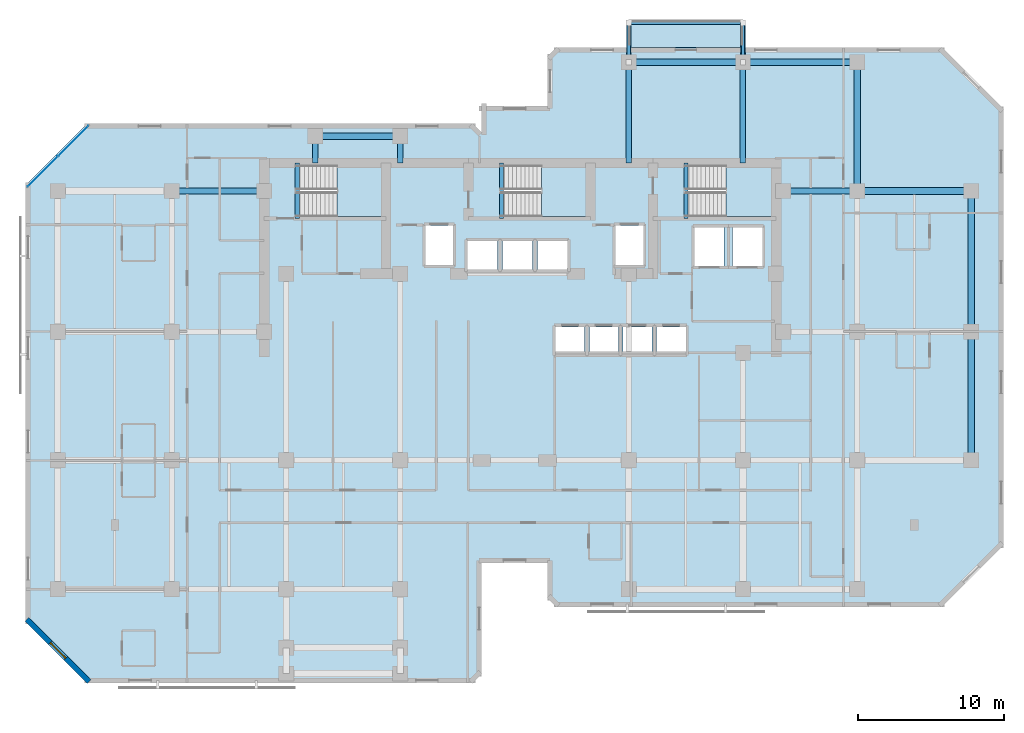
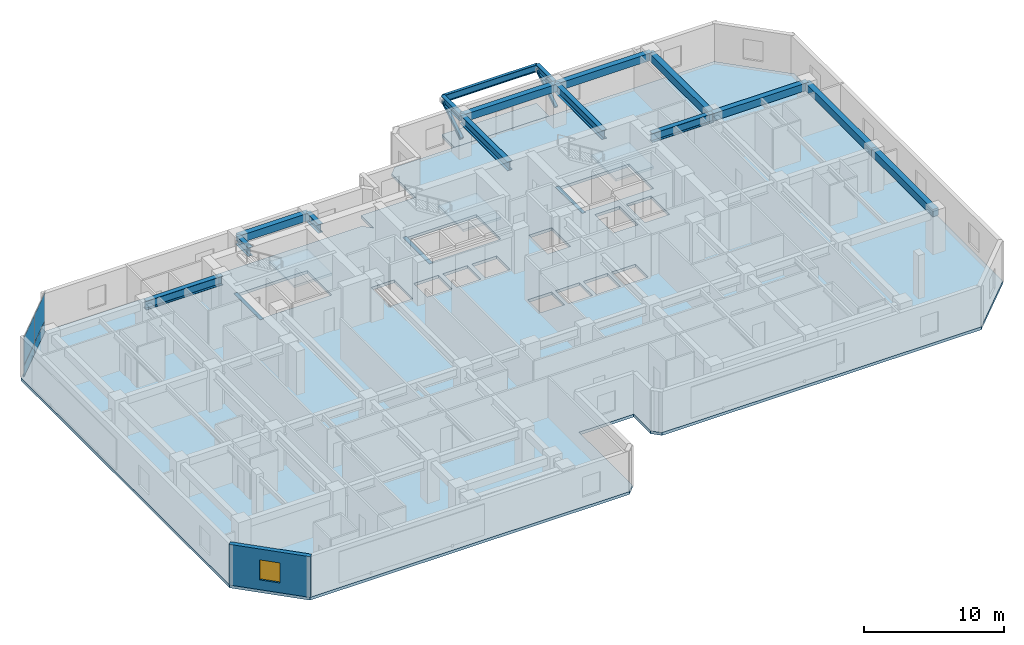
# One storey, part 3 of 10: 19 beams, 5 slabs, 4 plates, 2 members, 1 wall, 1 window, 1 opening, 4 elements without a shape of their own.
"""IFC4 building model written with IfcOpenShell, lengths in metres."""

from ifc_helpers import new_model, si_unit, direction, frame, frame_2d, origin, origin_2d, place, context, subcontext, project, spatial, polyline, rectangle, hollow_rectangle, i_section, outline, extrude, material, layer, layer_set, material_profile, profile_set, type_object, element, fill, aggregate, save


model = new_model("IFC4")

# Units and contexts
model_context = context("Model", 3, precision=1e-05, world=origin(), true_north=direction((0.0, 1.0)))
body_context = subcontext(model_context, "Body", "Model", "MODEL_VIEW")
ifc_project = project(units=[si_unit("LENGTHUNIT", "METRE"), si_unit("AREAUNIT", "SQUARE_METRE"), si_unit("VOLUMEUNIT", "CUBIC_METRE"), si_unit("PLANEANGLEUNIT", "RADIAN"), si_unit("MASSUNIT", "GRAM", prefix="KILO")], contexts=[model_context])

# Site, building, storey
site_placement = place(None, origin())
site = spatial("IfcSite", under=ifc_project, at=site_placement, CompositionType="ELEMENT")
building_placement = place(site_placement, origin())
building = spatial("IfcBuilding", under=site, at=building_placement, Name="Kestravale Grand Hotel", CompositionType="ELEMENT")
storey_placement = place(building_placement, frame((0.0, 0.0, 149.800048828125)))
storey = spatial("IfcBuildingStorey", under=building, at=storey_placement, Name="L37", CompositionType="ELEMENT", Elevation=149.800048828125)

# Beams
ifc_material_1 = material(Name="Concrete f'c 45 MPa", Category="concrete")
ifc_material_profile_1 = material_profile(ifc_material_1, rectangle(XDim=0.300048828125, YDim=0.39990234375, at=origin_2d()))
ifc_profile_set_1 = profile_set([ifc_material_profile_1], Name="Concrete f'c 45 MPa")
beam_type_1 = type_object("IfcBeamType", Name="B-FLR-LNT400", PredefinedType="LINTEL", material=ifc_profile_set_1)
for number, where, z_axis, x_axis, name in (
    (1, (24.159912109375, 36.52001953125, -0.199951171875), (0.0, 1.0, 0.0), (-1.0, 0.0, 0.0), "L37 ST1 flight bottom header beam"),
    (2, (38.110107421875, 36.52001953125, -0.199951171875), (0.0, 1.0, 0.0), (-1.0, 0.0, 0.0), "L37 ST2 flight bottom header beam"),
    (3, (50.7099609375, 36.52001953125, -0.199951171875), (0.0, 1.0, 0.0), (-1.0, 0.0, 0.0), "L37 ST3 flight bottom header beam"),
):
    element("IfcBeam", number, at=place(storey_placement, frame(where, z_axis=z_axis, x_axis=x_axis)), inside=storey, type_object=beam_type_1, Name=name, PredefinedType="LINTEL", context=body_context, shape_type="SweptSolid", body=[
        extrude(rectangle(XDim=0.300048828125, YDim=0.39990234375, at=origin_2d()), origin(), (0.0, 0.0, 1.0), 3.800048828125),
    ])
ifc_material_2 = material(Name="Concrete f'c 45 MPa", Category="concrete")
ifc_material_profile_2 = material_profile(ifc_material_2, rectangle(XDim=0.449951171875, YDim=0.64990234375, at=origin_2d()))
ifc_profile_set_2 = profile_set([ifc_material_profile_2], Name="Concrete f'c 45 MPa")
beam_type_2 = type_object("IfcBeamType", Name="B-FLR-RC650", PredefinedType="SPANDREL", material=ifc_profile_set_2)
for number, where, z_axis, x_axis, name in (
    (4, (62.39990234375, 38.39990234375, 3.224853515625), (1.0, 0.0, 0.0), (0.0, 1.0, 0.0), "L37 spandrel F:10-11"),
    (5, (46.800048828125, 47.199951171875, 3.224853515625), (1.0, 0.0, 0.0), (0.0, 1.0, 0.0), "L37 spandrel G:8-9"),
):
    element("IfcBeam", number, at=place(storey_placement, frame(where, z_axis=z_axis, x_axis=x_axis)), inside=storey, type_object=beam_type_2, Name=name, PredefinedType="SPANDREL", context=body_context, shape_type="SweptSolid", body=[
        extrude(rectangle(XDim=0.449951171875, YDim=0.64990234375, at=origin_2d()), origin(), (0.0, 0.0, 1.0), 7.800048828125),
    ])
beam_1_placement = place(storey_placement, frame((54.60009765625, 47.199951171875, 3.224853515625), z_axis=(1.0, 0.0, 0.0), x_axis=(0.0, 1.0, 0.0)))
element("IfcBeam", 6, at=beam_1_placement, inside=storey, type_object=beam_type_2, Name="L37 spandrel G:9-10", PredefinedType="SPANDREL", context=body_context, shape_type="SweptSolid", body=[
    extrude(rectangle(XDim=0.449951171875, YDim=0.64990234375, at=origin_2d()), origin(), (0.0, 0.0, 1.0), 7.7998046875),
])
beam_2_placement = place(storey_placement, frame((25.39990234375, 42.14990234375, 3.224853515625), z_axis=(1.0, 0.0, 0.0), x_axis=(0.0, 1.0, 0.0)))
element("IfcBeam", 7, at=beam_2_placement, inside=storey, type_object=beam_type_2, Name="L37 perimeter tie spandrel FN:4-5", PredefinedType="SPANDREL", context=body_context, shape_type="SweptSolid", body=[
    extrude(rectangle(XDim=0.449951171875, YDim=0.64990234375, at=origin_2d()), origin(), (0.0, 0.0, 1.0), 5.800048828125),
])
for number, where, z_axis, x_axis, name in (
    (8, (62.39990234375, 38.39990234375, 3.224853515625), (0.0, 1.0, 0.0), (-1.0, 0.0, 0.0), "L37 spandrel 10:F-G"),
    (9, (70.199951171875, 20.0, 3.224853515625), (0.0, 1.0, 0.0), (-1.0, 0.0, 0.0), "L37 spandrel 11:D-E"),
):
    element("IfcBeam", number, at=place(storey_placement, frame(where, z_axis=z_axis, x_axis=x_axis)), inside=storey, type_object=beam_type_2, Name=name, PredefinedType="SPANDREL", context=body_context, shape_type="SweptSolid", body=[
        extrude(rectangle(XDim=0.449951171875, YDim=0.64990234375, at=origin_2d()), origin(), (0.0, 0.0, 1.0), 8.800048828125),
    ])
beam_3_placement = place(storey_placement, frame((70.199951171875, 28.800048828125, 3.224853515625), z_axis=(0.0, 1.0, 0.0), x_axis=(-1.0, 0.0, 0.0)))
element("IfcBeam", 10, at=beam_3_placement, inside=storey, type_object=beam_type_2, Name="L37 spandrel 11:E-F", PredefinedType="SPANDREL", context=body_context, shape_type="SweptSolid", body=[
    extrude(rectangle(XDim=0.449951171875, YDim=0.64990234375, at=origin_2d()), origin(), (0.0, 0.0, 1.0), 9.599853515625),
])
ifc_material_3 = material(Name="Steel ASTM A992 Grade 50", Category="steel")
ifc_material_profile_3 = material_profile(ifc_material_3, i_section(OverallWidth=0.324951171875, OverallDepth=0.612060546875, WebThickness=0.0126953125, FlangeThickness=0.01904296875, FilletRadius=0.018798828125, at=origin_2d()))
ifc_profile_set_3 = profile_set([ifc_material_profile_3], Name="Steel ASTM A992 Grade 50")
beam_type_3 = type_object("IfcBeamType", Name="B-FLR-W24A", PredefinedType="SPANDREL", material=ifc_profile_set_3)
for number, where, z_axis, x_axis, name in (
    (11, (46.800048828125, 47.199951171875, 3.223876953125), (0.0, 1.0, 0.0), (-1.0, 0.0, 0.0), "L38 terrace cantilever beam 1"),
    (12, (54.60009765625, 47.199951171875, 3.223876953125), (0.0, 1.0, 0.0), (-1.0, 0.0, 0.0), "L38 terrace cantilever beam 2"),
):
    element("IfcBeam", number, at=place(storey_placement, frame(where, z_axis=z_axis, x_axis=x_axis)), inside=storey, type_object=beam_type_3, Name=name, PredefinedType="SPANDREL", context=body_context, shape_type="SweptSolid", body=[
        extrude(i_section(OverallWidth=0.324951171875, OverallDepth=0.612060546875, WebThickness=0.0126953125, FlangeThickness=0.01904296875, FilletRadius=0.018798828125, at=origin_2d()), origin(), (0.0, 0.0, 1.0), 2.699951171875),
    ])
ifc_material_4 = material(Name="Steel ASTM A992 Grade 50", Category="steel")
ifc_material_profile_4 = material_profile(ifc_material_4, i_section(OverallWidth=0.22900390625, OverallDepth=0.612060546875, WebThickness=0.011962890625, FlangeThickness=0.01953125, FilletRadius=0.019287109375, at=origin_2d()))
ifc_profile_set_4 = profile_set([ifc_material_profile_4], Name="Steel ASTM A992 Grade 50")
beam_type_4 = type_object("IfcBeamType", Name="B-FLR-W24B", PredefinedType="SPANDREL", material=ifc_profile_set_4)
beam_4_placement = place(storey_placement, frame((46.800048828125, 49.89990234375, 3.223876953125), z_axis=(1.0, 0.0, 0.0), x_axis=(0.0, 1.0, 0.0)))
element("IfcBeam", 13, at=beam_4_placement, inside=storey, type_object=beam_type_4, Name="L38 terrace edge spandrel", PredefinedType="SPANDREL", context=body_context, shape_type="SweptSolid", body=[
    extrude(i_section(OverallWidth=0.22900390625, OverallDepth=0.612060546875, WebThickness=0.011962890625, FlangeThickness=0.01953125, FilletRadius=0.019287109375, at=origin_2d()), origin(), (0.0, 0.0, 1.0), 7.800048828125),
])
ifc_material_5 = material(Name="Steel ASTM A992 Grade 50", Category="steel")
ifc_material_profile_5 = material_profile(ifc_material_5, i_section(OverallWidth=0.381103515625, OverallDepth=0.77197265625, WebThickness=0.0166015625, FlangeThickness=0.027099609375, FilletRadius=0.023681640625, at=origin_2d()))
ifc_profile_set_5 = profile_set([ifc_material_profile_5], Name="Steel ASTM A992 Grade 50")
beam_type_5 = type_object("IfcBeamType", Name="B-GRD-W30", PredefinedType="BEAM", material=ifc_profile_set_5)
beam_5_placement = place(storey_placement, frame((15.60009765625, 38.39990234375, 3.1640625), z_axis=(1.0, 0.0, 0.0), x_axis=(0.0, 1.0, 0.0)))
element("IfcBeam", 14, at=beam_5_placement, inside=storey, type_object=beam_type_5, Name="L37 girder F:3-CW", PredefinedType="BEAM", context=body_context, shape_type="SweptSolid", body=[
    extrude(i_section(OverallWidth=0.381103515625, OverallDepth=0.77197265625, WebThickness=0.0166015625, FlangeThickness=0.027099609375, FilletRadius=0.023681640625, at=origin_2d()), origin(), (0.0, 0.0, 1.0), 6.2998046875),
])
beam_6_placement = place(storey_placement, frame((57.35009765625, 38.39990234375, 3.1640625), z_axis=(1.0, 0.0, 0.0), x_axis=(0.0, 1.0, 0.0)))
element("IfcBeam", 15, at=beam_6_placement, inside=storey, type_object=beam_type_5, Name="L37 girder F:CE-10", PredefinedType="BEAM", context=body_context, shape_type="SweptSolid", body=[
    extrude(i_section(OverallWidth=0.381103515625, OverallDepth=0.77197265625, WebThickness=0.0166015625, FlangeThickness=0.027099609375, FilletRadius=0.023681640625, at=origin_2d()), origin(), (0.0, 0.0, 1.0), 5.0498046875),
])
for number, where, z_axis, x_axis, name in (
    (16, (25.39990234375, 40.320068359375, 3.1640625), (0.0, 1.0, 0.0), (-1.0, 0.0, 0.0), "L37 north wing tie girder 4:CN-FN"),
    (17, (31.199951171875, 40.320068359375, 3.1640625), (0.0, 1.0, 0.0), (-1.0, 0.0, 0.0), "L37 north wing tie girder 5:CN-FN"),
):
    element("IfcBeam", number, at=place(storey_placement, frame(where, z_axis=z_axis, x_axis=x_axis)), inside=storey, type_object=beam_type_5, Name=name, PredefinedType="BEAM", context=body_context, shape_type="SweptSolid", body=[
        extrude(i_section(OverallWidth=0.381103515625, OverallDepth=0.77197265625, WebThickness=0.0166015625, FlangeThickness=0.027099609375, FilletRadius=0.023681640625, at=origin_2d()), origin(), (0.0, 0.0, 1.0), 1.829833984375),
    ])
for number, where, z_axis, x_axis, name in (
    (18, (46.800048828125, 40.320068359375, 3.1640625), (0.0, 1.0, 0.0), (-1.0, 0.0, 0.0), "L37 north wing tie girder 8:CN-G"),
    (19, (54.60009765625, 40.320068359375, 3.1640625), (0.0, 1.0, 0.0), (-1.0, 0.0, 0.0), "L37 north wing tie girder 9:CN-G"),
):
    element("IfcBeam", number, at=place(storey_placement, frame(where, z_axis=z_axis, x_axis=x_axis)), inside=storey, type_object=beam_type_5, Name=name, PredefinedType="BEAM", context=body_context, shape_type="SweptSolid", body=[
        extrude(i_section(OverallWidth=0.381103515625, OverallDepth=0.77197265625, WebThickness=0.0166015625, FlangeThickness=0.027099609375, FilletRadius=0.023681640625, at=origin_2d()), origin(), (0.0, 0.0, 1.0), 6.8798828125),
    ])

# Members
ifc_material_6 = material(Name="Steel ASTM A500 Grade C", Category="steel")
ifc_material_profile_6 = material_profile(ifc_material_6, hollow_rectangle(XDim=0.25, YDim=0.25, WallThickness=0.011962890625, InnerFilletRadius=0.011962890625, OuterFilletRadius=0.02392578125, at=origin_2d()))
ifc_profile_set_6 = profile_set([ifc_material_profile_6], Name="Steel ASTM A500 Grade C")
member_type = type_object("IfcMemberType", Name="M-BLT-STR250", PredefinedType="STRUT", material=ifc_profile_set_6)
for number, where, z_axis, x_axis, name in (
    (20, (46.800048828125, 47.199951171875, 1.3740234375), (0.0, 0.84623539576, 0.532809210659), (-1.0, 0.0, 0.0), "L38 terrace knee-brace strut 1"),
    (21, (54.60009765625, 47.199951171875, 1.3740234375), (0.0, 0.84623539576, 0.532809210659), (-1.0, 0.0, 0.0), "L38 terrace knee-brace strut 2"),
):
    element("IfcMember", number, at=place(storey_placement, frame(where, z_axis=z_axis, x_axis=x_axis)), inside=storey, type_object=member_type, Name=name, PredefinedType="STRUT", context=body_context, shape_type="SweptSolid", body=[
        extrude(hollow_rectangle(XDim=0.25, YDim=0.25, WallThickness=0.011962890625, InnerFilletRadius=0.011962890625, OuterFilletRadius=0.02392578125, at=origin_2d()), origin(), (0.0, 0.0, 1.0), 3.1904296875),
    ])

# Curtain wall, plates
ifc_material_7 = material(Name="Thermally broken champagne-bronze aluminium and low-E glazing", Category="aluminium")
ifc_layer_1 = layer(ifc_material_7, 0.179931640625)
ifc_layer_set_1 = layer_set([ifc_layer_1], Name="CW-Z3")
curtain_wall_type = type_object("IfcCurtainWallType", Name="CW-Z3", PredefinedType="NOTDEFINED", material=ifc_layer_set_1)
curtain_wall_placement = place(storey_placement, origin())
curtain_wall = element("IfcCurtainWall", 22, at=curtain_wall_placement, inside=storey, type_object=curtain_wall_type, Name="L37 unitised curtain wall 18", PredefinedType="NOTDEFINED")
ifc_material_8 = material(Name="Insulated clear low-E double glazing IGU", Category="glass")
ifc_layer_2 = layer(ifc_material_8, 0.031982421875)
ifc_layer_set_2 = layer_set([ifc_layer_2], Name="CW-PNL-32")
plate_type = type_object("IfcPlateType", Name="CW-PNL-32", PredefinedType="CURTAIN_PANEL", material=ifc_layer_set_2)
plate_1_placement = place(storey_placement, frame((8.86572265625, 41.825439453125, 0.06494140625), z_axis=(0.0, 0.0, 1.0), x_axis=(-0.707106781187, -0.707106781187, 0.0)))
plate_1 = element("IfcPlate", 23, at=plate_1_placement, type_object=plate_type, Name="CW-Z3 panel 1.1", PredefinedType="CURTAIN_PANEL", context=body_context, shape_type="SweptSolid", body=[
    extrude(rectangle(XDim=2.892333984375, YDim=0.031982421875, at=origin_2d()), origin(), (0.0, 0.0, 1.0), 0.952392578125),
])
plate_2_placement = place(storey_placement, frame((8.86572265625, 41.825439453125, 1.08251953125), z_axis=(0.0, 0.0, 1.0), x_axis=(-0.707106781187, -0.707106781187, 0.0)))
plate_2 = element("IfcPlate", 24, at=plate_2_placement, type_object=plate_type, Name="CW-Z3 panel 1.2", PredefinedType="CURTAIN_PANEL", context=body_context, shape_type="SweptSolid", body=[
    extrude(rectangle(XDim=2.892333984375, YDim=0.031982421875, at=origin_2d()), origin(), (0.0, 0.0, 1.0), 2.402587890625),
])
plate_3_placement = place(storey_placement, frame((6.774658203125, 39.734130859375, 0.06494140625), z_axis=(0.0, 0.0, 1.0), x_axis=(-0.707106781187, -0.707106781187, 0.0)))
plate_3 = element("IfcPlate", 25, at=plate_3_placement, type_object=plate_type, Name="CW-Z3 panel 2.1", PredefinedType="CURTAIN_PANEL", context=body_context, shape_type="SweptSolid", body=[
    extrude(rectangle(XDim=2.892333984375, YDim=0.031982421875, at=origin_2d()), origin(), (0.0, 0.0, 1.0), 0.952392578125),
])
plate_4_placement = place(storey_placement, frame((6.774658203125, 39.734130859375, 1.08251953125), z_axis=(0.0, 0.0, 1.0), x_axis=(-0.707106781187, -0.707106781187, 0.0)))
plate_4 = element("IfcPlate", 26, at=plate_4_placement, type_object=plate_type, Name="CW-Z3 panel 2.2", PredefinedType="CURTAIN_PANEL", context=body_context, shape_type="SweptSolid", body=[
    extrude(rectangle(XDim=2.892333984375, YDim=0.031982421875, at=origin_2d()), origin(), (0.0, 0.0, 1.0), 2.402587890625),
])
aggregate(curtain_wall, [plate_1, plate_2, plate_3, plate_4])

# Slab
ifc_material_9 = material(Name="Concrete f'c 45 MPa", Category="concrete")
ifc_layer_3 = layer(ifc_material_9, 0.27001953125)
ifc_layer_set_3 = layer_set([ifc_layer_3], Name="ES-TERR-270")
slab_type_1 = type_object("IfcSlabType", Name="ES-TERR-270", PredefinedType="FLOOR", material=ifc_layer_set_3)
slab_1_placement = place(storey_placement, frame((0.0, 0.0, -0.27001953125)))
element("IfcSlab", 27, at=slab_1_placement, inside=storey, type_object=slab_type_1, Name="L37 spiralling planted garden terrace", PredefinedType="FLOOR", context=body_context, shape_type="SweptSolid", body=[
    extrude(outline(polyline([(46.800048828125, 48.199951171875), (54.60009765625, 48.199951171875), (54.60009765625, 50.050048828125), (46.800048828125, 50.050048828125), (46.800048828125, 48.199951171875)])), origin(), (0.0, 0.0, 1.0), 0.27001953125),
])

# Stair, slab
ifc_material_10 = material(Name="Concrete f'c 45 MPa", Category="concrete")
stair_type = type_object("IfcStairType", Name="ST-CORE-380", PredefinedType="HALF_TURN_STAIR", material=ifc_material_10)
stair_1_placement = place(storey_placement, origin())
stair_1 = element("IfcStair", 28, at=stair_1_placement, inside=storey, type_object=stair_type, Name="L37 ST-1", PredefinedType="HALF_TURN_STAIR")
ifc_material_11 = material(Name="Concrete f'c 45 MPa", Category="concrete")
ifc_layer_4 = layer(ifc_material_11, 0.199951171875)
ifc_layer_set_4 = layer_set([ifc_layer_4], Name="SLB-ST-LND200")
slab_type_2 = type_object("IfcSlabType", Name="SLB-ST-LND200", PredefinedType="LANDING", material=ifc_layer_set_4)
slab_2_placement = place(storey_placement, frame((0.0, 0.0, 1.699951171875)))
slab_2 = element("IfcSlab", 29, at=slab_2_placement, type_object=slab_type_2, Name="ST-1 landing 1", PredefinedType="LANDING", context=body_context, shape_type="SweptSolid", body=[
    extrude(outline(polyline([(26.8798828125, 36.64990234375), (30.0, 36.64990234375), (30.0, 40.159912109375), (26.8798828125, 40.159912109375), (26.8798828125, 36.64990234375)])), origin(), (0.0, 0.0, 1.0), 0.199951171875),
])
aggregate(stair_1, [slab_2])

stair_2_placement = place(storey_placement, origin())
stair_2 = element("IfcStair", 30, at=stair_2_placement, inside=storey, type_object=stair_type, Name="L37 ST-2", PredefinedType="HALF_TURN_STAIR")
slab_3_placement = place(storey_placement, frame((0.0, 0.0, 1.699951171875)))
slab_3 = element("IfcSlab", 31, at=slab_3_placement, type_object=slab_type_2, Name="ST-2 landing 1", PredefinedType="LANDING", context=body_context, shape_type="SweptSolid", body=[
    extrude(outline(polyline([(40.830078125, 36.64990234375), (43.949951171875, 36.64990234375), (43.949951171875, 40.159912109375), (40.830078125, 40.159912109375), (40.830078125, 36.64990234375)])), origin(), (0.0, 0.0, 1.0), 0.199951171875),
])
aggregate(stair_2, [slab_3])

stair_3_placement = place(storey_placement, origin())
stair_3 = element("IfcStair", 32, at=stair_3_placement, inside=storey, type_object=stair_type, Name="L37 ST-3", PredefinedType="HALF_TURN_STAIR")
slab_4_placement = place(storey_placement, frame((0.0, 0.0, 1.699951171875)))
slab_4 = element("IfcSlab", 33, at=slab_4_placement, type_object=slab_type_2, Name="ST-3 landing 1", PredefinedType="LANDING", context=body_context, shape_type="SweptSolid", body=[
    extrude(outline(polyline([(53.429931640625, 36.64990234375), (56.550048828125, 36.64990234375), (56.550048828125, 40.159912109375), (53.429931640625, 40.159912109375), (53.429931640625, 36.64990234375)])), origin(), (0.0, 0.0, 1.0), 0.199951171875),
])
aggregate(stair_3, [slab_4])

# Slab
ifc_material_12 = material(Name="Concrete f'c 45 MPa", Category="concrete")
ifc_layer_5 = layer(ifc_material_12, 0.25)
ifc_layer_set_5 = layer_set([ifc_layer_5], Name="SS-FLR-250")
slab_type_3 = type_object("IfcSlabType", Name="SS-FLR-250", PredefinedType="FLOOR", material=ifc_layer_set_5)
slab_5_placement = place(storey_placement, frame((0.0, 0.0, -0.25)))
element("IfcSlab", 34, at=slab_5_placement, inside=storey, type_object=slab_type_3, Name="L37 structural floor slab", PredefinedType="FLOOR", context=body_context, shape_type="SweptSolid", body=[
    extrude(outline(polyline([(9.800048828125, 4.800048828125), (36.14990234375, 4.800048828125), (36.75, 5.39990234375), (36.75, 13.0), (41.25, 13.0), (41.25, 10.60009765625), (41.85009765625, 10.0), (68.199951171875, 10.0), (72.39990234375, 14.199951171875), (72.39990234375, 44.0), (68.199951171875, 48.199951171875), (41.85009765625, 48.199951171875), (41.25, 47.60009765625), (41.25, 44.199951171875), (36.75, 44.199951171875), (36.75, 42.39990234375), (36.14990234375, 43.0), (9.800048828125, 43.0), (5.60009765625, 38.800048828125), (5.60009765625, 9.0), (9.800048828125, 4.800048828125)]), holes=[polyline([(24.080078125, 36.64990234375), (30.0, 36.64990234375), (30.0, 40.159912109375), (24.080078125, 40.159912109375), (24.080078125, 36.64990234375)]), polyline([(38.030029296875, 36.64990234375), (43.949951171875, 36.64990234375), (43.949951171875, 40.159912109375), (38.030029296875, 40.159912109375), (38.030029296875, 36.64990234375)]), polyline([(50.6298828125, 36.64990234375), (56.550048828125, 36.64990234375), (56.550048828125, 40.159912109375), (50.6298828125, 40.159912109375), (50.6298828125, 36.64990234375)]), polyline([(41.804931640625, 27.280029296875), (43.794921875, 27.280029296875), (43.794921875, 29.1201171875), (41.804931640625, 29.1201171875), (41.804931640625, 27.280029296875)]), polyline([(44.10498046875, 27.280029296875), (46.094970703125, 27.280029296875), (46.094970703125, 29.1201171875), (44.10498046875, 29.1201171875), (44.10498046875, 27.280029296875)]), polyline([(46.405029296875, 27.280029296875), (48.39501953125, 27.280029296875), (48.39501953125, 29.1201171875), (46.405029296875, 29.1201171875), (46.405029296875, 27.280029296875)]), polyline([(48.705078125, 27.280029296875), (50.695068359375, 27.280029296875), (50.695068359375, 29.1201171875), (48.705078125, 29.1201171875), (48.705078125, 27.280029296875)]), polyline([(35.780029296875, 33.030029296875), (37.820068359375, 33.030029296875), (37.820068359375, 34.969970703125), (35.780029296875, 34.969970703125), (35.780029296875, 33.030029296875)]), polyline([(38.179931640625, 33.030029296875), (40.219970703125, 33.030029296875), (40.219970703125, 34.969970703125), (38.179931640625, 34.969970703125), (38.179931640625, 33.030029296875)]), polyline([(40.580078125, 33.030029296875), (42.6201171875, 33.030029296875), (42.6201171875, 34.969970703125), (40.580078125, 34.969970703125), (40.580078125, 33.030029296875)]), polyline([(32.905029296875, 33.35498046875), (34.794921875, 33.35498046875), (34.794921875, 36.044921875), (32.905029296875, 36.044921875), (32.905029296875, 33.35498046875)]), polyline([(45.905029296875, 33.35498046875), (47.794921875, 33.35498046875), (47.794921875, 36.044921875), (45.905029296875, 36.044921875), (45.905029296875, 33.35498046875)]), polyline([(51.280029296875, 33.280029296875), (53.320068359375, 33.280029296875), (53.320068359375, 35.919921875), (51.280029296875, 35.919921875), (51.280029296875, 33.280029296875)]), polyline([(53.8798828125, 33.280029296875), (55.919921875, 33.280029296875), (55.919921875, 35.919921875), (53.8798828125, 35.919921875), (53.8798828125, 33.280029296875)])]), origin(), (0.0, 0.0, 1.0), 0.25),
])

# Wall, opening, window
ifc_material_13 = material(Name="Precast concrete f'c 45 MPa", Category="concrete")
ifc_layer_6 = layer(ifc_material_13, 0.340087890625)
ifc_layer_set_6 = layer_set([ifc_layer_6], Name="EW-PREC-340")
wall_type = type_object("IfcWallType", Name="EW-PREC-340", PredefinedType="SOLIDWALL", material=ifc_layer_set_6)
wall_placement = place(storey_placement, frame((5.69189453125, 9.1484375, 0.0), z_axis=(0.0, 0.0, 1.0), x_axis=(0.707106781187, -0.707106781187, 0.0)))
wall = element("IfcWall", 35, at=wall_placement, inside=storey, type_object=wall_type, Name="L37 fluted precast facade wall 20", PredefinedType="SOLIDWALL", context=body_context, shape_type="SweptSolid", body=[
    extrude(rectangle(XDim=6.019775390625, YDim=0.340087890625, at=frame_2d((3.009765625, 0.0))), origin(), (0.0, 0.0, 1.0), 3.550048828125),
])
opening_placement = place(wall_placement, frame((2.260009765625, 0.0, 0.85009765625)))
opening = element("IfcOpeningElement", 36, at=opening_placement, cuts=wall, Name="Opening W-GUEST-1500", PredefinedType="OPENING", context=body_context, shape_type="SweptSolid", body=[
    extrude(rectangle(XDim=1.5, YDim=1.75, at=frame_2d((0.75, 0.875))), frame((0.0, 0.179931640625, 0.0), z_axis=(0.0, -1.0, 0.0), x_axis=(1.0, 0.0, 0.0)), (0.0, 0.0, 1.0), 0.360107421875),
])
ifc_material_14 = material(Name="Insulated low-E double glazing in aluminium frame", Category="aluminium")
window_type = type_object("IfcWindowType", Name="W-GUEST-1500", PartitioningType="SINGLE_PANEL", PredefinedType="WINDOW", material=ifc_material_14)
window_placement = place(opening_placement, origin())
window = element("IfcWindow", 37, at=window_placement, inside=storey, type_object=window_type, Name="L37 exterior window 20.1", OverallHeight=1.75, OverallWidth=1.5, PartitioningType="SINGLE_PANEL", PredefinedType="WINDOW", context=body_context, shape_type="SweptSolid", body=[
    extrude(rectangle(XDim=1.5, YDim=1.75, at=frame_2d((0.75, 0.875))), frame((0.0, 0.030029296875, 0.0), z_axis=(0.0, -1.0, 0.0), x_axis=(1.0, 0.0, 0.0)), (0.0, 0.0, 1.0), 0.06005859375),
])
fill(opening, window)

save(model, "model.ifc")
